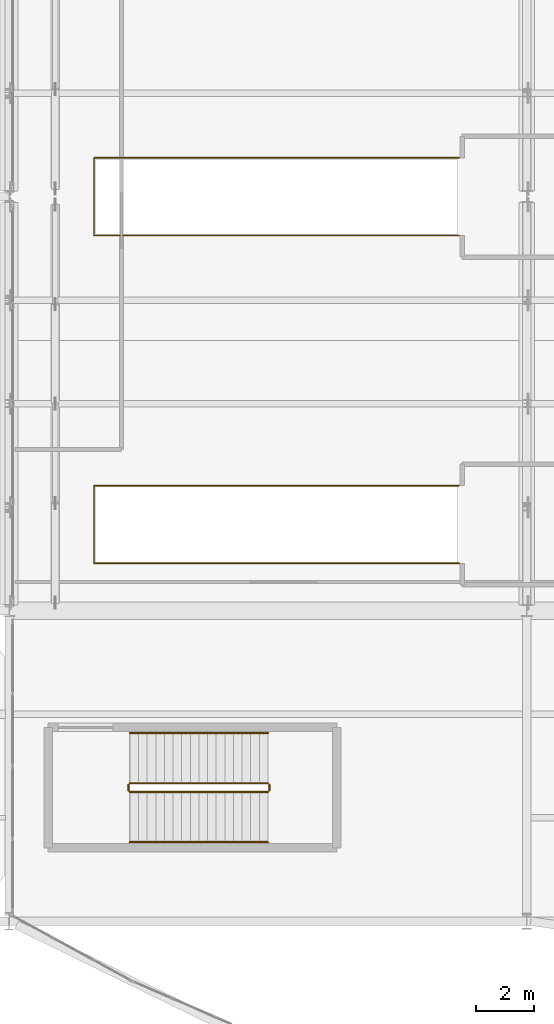
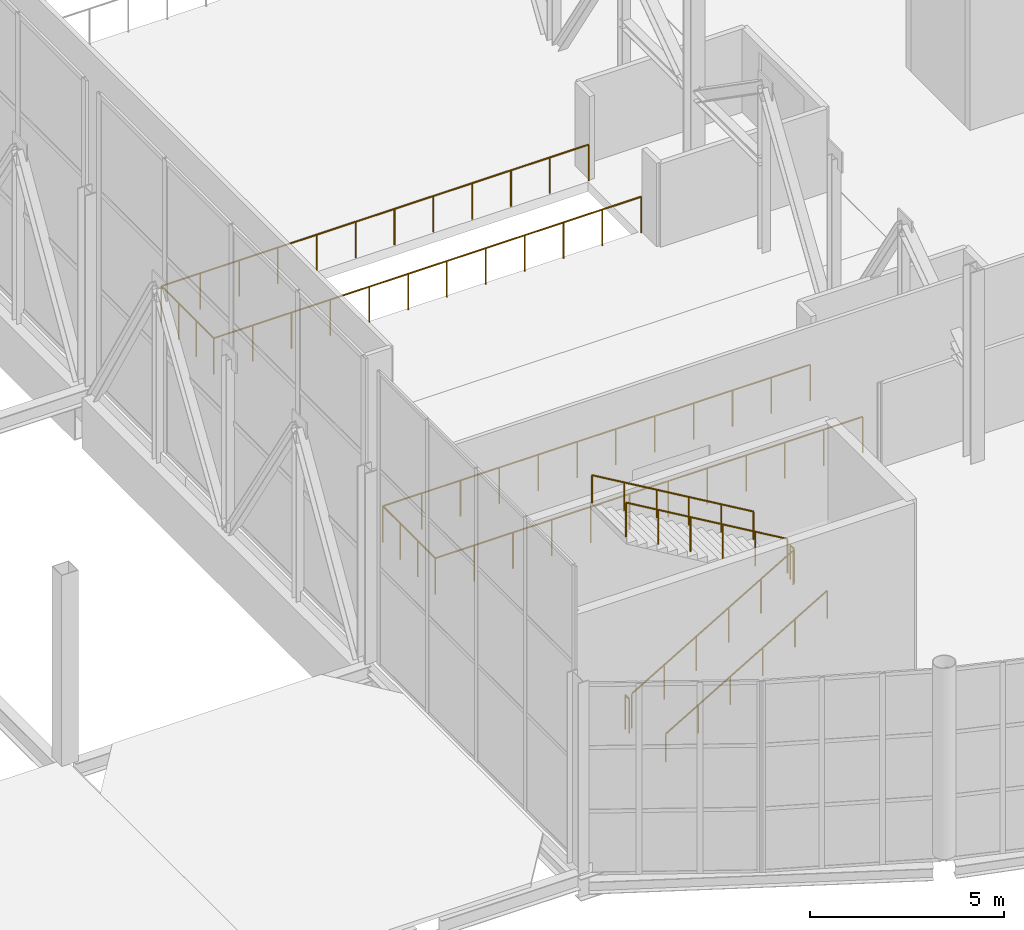
# One storey, part 177 of 191: 8 railings.
"""IFC4 building model written with IfcOpenShell, lengths in metres."""

from ifc_helpers import new_model, si_unit, direction, frame, origin, origin_2d, place, context, subcontext, project, spatial, circle, extrude, material, type_object, element, save


model = new_model("IFC4")

# Units and contexts
model_context = context("Model", 3, precision=1e-05, world=origin(), true_north=direction((0.0, 1.0)))
body_context = subcontext(model_context, "Body", "Model", "MODEL_VIEW")
ifc_project = project(units=[si_unit("LENGTHUNIT", "METRE"), si_unit("AREAUNIT", "SQUARE_METRE"), si_unit("VOLUMEUNIT", "CUBIC_METRE"), si_unit("PLANEANGLEUNIT", "RADIAN"), si_unit("MASSUNIT", "GRAM", prefix="KILO")], contexts=[model_context])

# Site, building, storey
site_placement = place(None, origin())
site = spatial("IfcSite", under=ifc_project, at=site_placement, CompositionType="ELEMENT")
building_placement = place(site_placement, origin())
building = spatial("IfcBuilding", under=site, at=building_placement, Name="Tamarisk Ironworks Central Station", CompositionType="ELEMENT")
storey_placement = place(building_placement, frame((0.0, 0.0, 6.60009765625)))
storey = spatial("IfcBuildingStorey", under=building, at=storey_placement, Name="L01", CompositionType="ELEMENT", Elevation=6.60009765625)

# Railings
ifc_material_1 = material(Name="Laminated solar-control low-E glass", Category="glass")
railing_type_1 = type_object("IfcRailingType", Name="RL-GUARD-GLASS", PredefinedType="BALUSTRADE", material=ifc_material_1)
railing_1_placement = place(storey_placement, frame((69.64990234375, 23.25, 0.0)))
element("IfcRailing", 1, at=railing_1_placement, inside=storey, type_object=railing_type_1, Name="L01 platform stair well guard ST-P1A", PredefinedType="BALUSTRADE", context=body_context, shape_type="SweptSolid", body=[
    extrude(circle(Radius=0.02392578125, at=origin_2d()), frame((0.0, 0.0, 1.1259765625), z_axis=(-1.0, 0.0, 0.0), x_axis=(0.0, -1.0, 0.0)), (0.0, 0.0, 1.0), 12.699951171875),
    extrude(circle(Radius=0.02392578125, at=origin_2d()), frame((-12.699951171875, 0.0, 1.1259765625), z_axis=(0.0, 1.0, 0.0), x_axis=(-1.0, 0.0, 0.0)), (0.0, 0.0, 1.0), 2.699951171875),
    extrude(circle(Radius=0.02392578125, at=origin_2d()), frame((-12.699951171875, 2.699951171875, 1.1259765625), z_axis=(1.0, 0.0, 0.0), x_axis=(0.0, 1.0, 0.0)), (0.0, 0.0, 1.0), 12.699951171875),
    extrude(circle(Radius=0.02099609375, at=origin_2d()), origin(), (0.0, 0.0, 1.0), 1.101806640625),
    extrude(circle(Radius=0.02099609375, at=origin_2d()), frame((-1.154541015625, 0.0, 0.0)), (0.0, 0.0, 1.0), 1.101806640625),
    extrude(circle(Radius=0.02099609375, at=origin_2d()), frame((-2.30908203125, 0.0, 0.0)), (0.0, 0.0, 1.0), 1.101806640625),
    extrude(circle(Radius=0.02099609375, at=origin_2d()), frame((-3.463623046875, 0.0, 0.0)), (0.0, 0.0, 1.0), 1.101806640625),
    extrude(circle(Radius=0.02099609375, at=origin_2d()), frame((-4.6181640625, 0.0, 0.0)), (0.0, 0.0, 1.0), 1.101806640625),
    extrude(circle(Radius=0.02099609375, at=origin_2d()), frame((-5.772705078125, 0.0, 0.0)), (0.0, 0.0, 1.0), 1.101806640625),
    extrude(circle(Radius=0.02099609375, at=origin_2d()), frame((-6.92724609375, 0.0, 0.0)), (0.0, 0.0, 1.0), 1.101806640625),
    extrude(circle(Radius=0.02099609375, at=origin_2d()), frame((-8.081787109375, 0.0, 0.0)), (0.0, 0.0, 1.0), 1.101806640625),
    extrude(circle(Radius=0.02099609375, at=origin_2d()), frame((-9.236328125, 0.0, 0.0)), (0.0, 0.0, 1.0), 1.101806640625),
    extrude(circle(Radius=0.02099609375, at=origin_2d()), frame((-10.390869140625, 0.0, 0.0)), (0.0, 0.0, 1.0), 1.101806640625),
    extrude(circle(Radius=0.02099609375, at=origin_2d()), frame((-11.54541015625, 0.0, 0.0)), (0.0, 0.0, 1.0), 1.101806640625),
    extrude(circle(Radius=0.02099609375, at=origin_2d()), frame((-12.699951171875, 0.0, 0.0)), (0.0, 0.0, 1.0), 1.101806640625),
    extrude(circle(Radius=0.02099609375, at=origin_2d()), frame((-12.699951171875, 0.89990234375, 0.0)), (0.0, 0.0, 1.0), 1.101806640625),
    extrude(circle(Radius=0.02099609375, at=origin_2d()), frame((-12.699951171875, 1.800048828125, 0.0)), (0.0, 0.0, 1.0), 1.101806640625),
    extrude(circle(Radius=0.02099609375, at=origin_2d()), frame((-12.699951171875, 2.699951171875, 0.0)), (0.0, 0.0, 1.0), 1.101806640625),
    extrude(circle(Radius=0.02099609375, at=origin_2d()), frame((-11.54541015625, 2.699951171875, 0.0)), (0.0, 0.0, 1.0), 1.101806640625),
    extrude(circle(Radius=0.02099609375, at=origin_2d()), frame((-10.390869140625, 2.699951171875, 0.0)), (0.0, 0.0, 1.0), 1.101806640625),
    extrude(circle(Radius=0.02099609375, at=origin_2d()), frame((-9.236328125, 2.699951171875, 0.0)), (0.0, 0.0, 1.0), 1.101806640625),
    extrude(circle(Radius=0.02099609375, at=origin_2d()), frame((-8.081787109375, 2.699951171875, 0.0)), (0.0, 0.0, 1.0), 1.101806640625),
    extrude(circle(Radius=0.02099609375, at=origin_2d()), frame((-6.92724609375, 2.699951171875, 0.0)), (0.0, 0.0, 1.0), 1.101806640625),
    extrude(circle(Radius=0.02099609375, at=origin_2d()), frame((-5.772705078125, 2.699951171875, 0.0)), (0.0, 0.0, 1.0), 1.101806640625),
    extrude(circle(Radius=0.02099609375, at=origin_2d()), frame((-4.6181640625, 2.699951171875, 0.0)), (0.0, 0.0, 1.0), 1.101806640625),
    extrude(circle(Radius=0.02099609375, at=origin_2d()), frame((-3.463623046875, 2.699951171875, 0.0)), (0.0, 0.0, 1.0), 1.101806640625),
    extrude(circle(Radius=0.02099609375, at=origin_2d()), frame((-2.30908203125, 2.699951171875, 0.0)), (0.0, 0.0, 1.0), 1.101806640625),
    extrude(circle(Radius=0.02099609375, at=origin_2d()), frame((-1.154541015625, 2.699951171875, 0.0)), (0.0, 0.0, 1.0), 1.101806640625),
    extrude(circle(Radius=0.02099609375, at=origin_2d()), frame((0.0, 2.699951171875, 0.0)), (0.0, 0.0, 1.0), 1.101806640625),
])
railing_2_placement = place(storey_placement, frame((69.64990234375, 34.64990234375, 0.0)))
element("IfcRailing", 2, at=railing_2_placement, inside=storey, type_object=railing_type_1, Name="L01 platform stair well guard ST-P2A", PredefinedType="BALUSTRADE", context=body_context, shape_type="SweptSolid", body=[
    extrude(circle(Radius=0.02392578125, at=origin_2d()), frame((0.0, 0.0, 1.1259765625), z_axis=(-1.0, 0.0, 0.0), x_axis=(0.0, -1.0, 0.0)), (0.0, 0.0, 1.0), 12.699951171875),
    extrude(circle(Radius=0.02392578125, at=origin_2d()), frame((-12.699951171875, 0.0, 1.1259765625), z_axis=(0.0, 1.0, 0.0), x_axis=(-1.0, 0.0, 0.0)), (0.0, 0.0, 1.0), 2.7001953125),
    extrude(circle(Radius=0.02392578125, at=origin_2d()), frame((-12.699951171875, 2.7001953125, 1.1259765625), z_axis=(1.0, 0.0, 0.0), x_axis=(0.0, 1.0, 0.0)), (0.0, 0.0, 1.0), 12.699951171875),
    extrude(circle(Radius=0.02099609375, at=origin_2d()), origin(), (0.0, 0.0, 1.0), 1.101806640625),
    extrude(circle(Radius=0.02099609375, at=origin_2d()), frame((-1.154541015625, 0.0, 0.0)), (0.0, 0.0, 1.0), 1.101806640625),
    extrude(circle(Radius=0.02099609375, at=origin_2d()), frame((-2.30908203125, 0.0, 0.0)), (0.0, 0.0, 1.0), 1.101806640625),
    extrude(circle(Radius=0.02099609375, at=origin_2d()), frame((-3.463623046875, 0.0, 0.0)), (0.0, 0.0, 1.0), 1.101806640625),
    extrude(circle(Radius=0.02099609375, at=origin_2d()), frame((-4.6181640625, 0.0, 0.0)), (0.0, 0.0, 1.0), 1.101806640625),
    extrude(circle(Radius=0.02099609375, at=origin_2d()), frame((-5.772705078125, 0.0, 0.0)), (0.0, 0.0, 1.0), 1.101806640625),
    extrude(circle(Radius=0.02099609375, at=origin_2d()), frame((-6.92724609375, 0.0, 0.0)), (0.0, 0.0, 1.0), 1.101806640625),
    extrude(circle(Radius=0.02099609375, at=origin_2d()), frame((-8.081787109375, 0.0, 0.0)), (0.0, 0.0, 1.0), 1.101806640625),
    extrude(circle(Radius=0.02099609375, at=origin_2d()), frame((-9.236328125, 0.0, 0.0)), (0.0, 0.0, 1.0), 1.101806640625),
    extrude(circle(Radius=0.02099609375, at=origin_2d()), frame((-10.390869140625, 0.0, 0.0)), (0.0, 0.0, 1.0), 1.101806640625),
    extrude(circle(Radius=0.02099609375, at=origin_2d()), frame((-11.54541015625, 0.0, 0.0)), (0.0, 0.0, 1.0), 1.101806640625),
    extrude(circle(Radius=0.02099609375, at=origin_2d()), frame((-12.699951171875, 0.0, 0.0)), (0.0, 0.0, 1.0), 1.101806640625),
    extrude(circle(Radius=0.02099609375, at=origin_2d()), frame((-12.699951171875, 0.900146484375, 0.0)), (0.0, 0.0, 1.0), 1.101806640625),
    extrude(circle(Radius=0.02099609375, at=origin_2d()), frame((-12.699951171875, 1.800048828125, 0.0)), (0.0, 0.0, 1.0), 1.101806640625),
    extrude(circle(Radius=0.02099609375, at=origin_2d()), frame((-12.699951171875, 2.7001953125, 0.0)), (0.0, 0.0, 1.0), 1.101806640625),
    extrude(circle(Radius=0.02099609375, at=origin_2d()), frame((-11.54541015625, 2.7001953125, 0.0)), (0.0, 0.0, 1.0), 1.101806640625),
    extrude(circle(Radius=0.02099609375, at=origin_2d()), frame((-10.390869140625, 2.7001953125, 0.0)), (0.0, 0.0, 1.0), 1.101806640625),
    extrude(circle(Radius=0.02099609375, at=origin_2d()), frame((-9.236328125, 2.7001953125, 0.0)), (0.0, 0.0, 1.0), 1.101806640625),
    extrude(circle(Radius=0.02099609375, at=origin_2d()), frame((-8.081787109375, 2.7001953125, 0.0)), (0.0, 0.0, 1.0), 1.101806640625),
    extrude(circle(Radius=0.02099609375, at=origin_2d()), frame((-6.92724609375, 2.7001953125, 0.0)), (0.0, 0.0, 1.0), 1.101806640625),
    extrude(circle(Radius=0.02099609375, at=origin_2d()), frame((-5.772705078125, 2.7001953125, 0.0)), (0.0, 0.0, 1.0), 1.101806640625),
    extrude(circle(Radius=0.02099609375, at=origin_2d()), frame((-4.6181640625, 2.7001953125, 0.0)), (0.0, 0.0, 1.0), 1.101806640625),
    extrude(circle(Radius=0.02099609375, at=origin_2d()), frame((-3.463623046875, 2.7001953125, 0.0)), (0.0, 0.0, 1.0), 1.101806640625),
    extrude(circle(Radius=0.02099609375, at=origin_2d()), frame((-2.30908203125, 2.7001953125, 0.0)), (0.0, 0.0, 1.0), 1.101806640625),
    extrude(circle(Radius=0.02099609375, at=origin_2d()), frame((-1.154541015625, 2.7001953125, 0.0)), (0.0, 0.0, 1.0), 1.101806640625),
    extrude(circle(Radius=0.02099609375, at=origin_2d()), frame((0.0, 2.7001953125, 0.0)), (0.0, 0.0, 1.0), 1.101806640625),
])
ifc_material_2 = material(Name="Brushed stainless steel AISI 316", Category="steel")
railing_type_2 = type_object("IfcRailingType", Name="RL-GUARD-INT", PredefinedType="BALUSTRADE", material=ifc_material_2)
railing_3_placement = place(storey_placement, frame((58.199951171875, 15.300048828125, 0.17626953125)))
element("IfcRailing", 3, at=railing_3_placement, inside=storey, type_object=railing_type_2, Name="L01 ST-C8 stair guard 1", PredefinedType="BALUSTRADE", context=body_context, shape_type="SweptSolid", body=[
    extrude(circle(Radius=0.02392578125, at=origin_2d()), frame((0.0, 0.0, 1.076171875), z_axis=(0.861920691219, 0.0, 0.507043116558), x_axis=(0.0, 1.0, 0.0)), (0.0, 0.0, 1.0), 5.569091796875),
    extrude(circle(Radius=0.02099609375, at=origin_2d()), origin(), (0.0, 0.0, 1.0), 1.052001953125),
    extrude(circle(Radius=0.02099609375, at=origin_2d()), frame((0.9599609375, 0.0, 0.564697265625)), (0.0, 0.0, 1.0), 1.052001953125),
    extrude(circle(Radius=0.02099609375, at=origin_2d()), frame((1.919921875, 0.0, 1.12939453125)), (0.0, 0.0, 1.0), 1.052001953125),
    extrude(circle(Radius=0.02099609375, at=origin_2d()), frame((2.880126953125, 0.0, 1.6943359375)), (0.0, 0.0, 1.0), 1.052001953125),
    extrude(circle(Radius=0.02099609375, at=origin_2d()), frame((3.840087890625, 0.0, 2.259033203125)), (0.0, 0.0, 1.0), 1.052001953125),
    extrude(circle(Radius=0.02099609375, at=origin_2d()), frame((4.800048828125, 0.0, 2.82373046875)), (0.0, 0.0, 1.0), 1.052001953125),
])
railing_4_placement = place(storey_placement, frame((63.050048828125, 15.35009765625, 3.0)))
element("IfcRailing", 4, at=railing_4_placement, inside=storey, type_object=railing_type_2, Name="L01 ST-C8 stair guard 2", PredefinedType="BALUSTRADE", context=body_context, shape_type="SweptSolid", body=[
    extrude(circle(Radius=0.02392578125, at=origin_2d()), frame((0.0, 0.0, 1.076171875), z_axis=(0.0, 1.0, 0.0), x_axis=(-1.0, 0.0, 0.0)), (0.0, 0.0, 1.0), 0.199951171875),
    extrude(circle(Radius=0.02099609375, at=origin_2d()), origin(), (0.0, 0.0, 1.0), 1.052001953125),
    extrude(circle(Radius=0.02099609375, at=origin_2d()), frame((0.0, 0.199951171875, 0.0)), (0.0, 0.0, 1.0), 1.052001953125),
])
railing_5_placement = place(storey_placement, frame((63.0, 15.60009765625, 3.17626953125)))
element("IfcRailing", 5, at=railing_5_placement, inside=storey, type_object=railing_type_2, Name="L01 ST-C8 stair guard 3", PredefinedType="BALUSTRADE", context=body_context, shape_type="SweptSolid", body=[
    extrude(circle(Radius=0.02392578125, at=origin_2d()), frame((0.0, 0.0, 1.076171875), z_axis=(-0.861920691219, 0.0, 0.507043116558), x_axis=(0.0, -1.0, 0.0)), (0.0, 0.0, 1.0), 5.569091796875),
    extrude(circle(Radius=0.02099609375, at=origin_2d()), origin(), (0.0, 0.0, 1.0), 1.052001953125),
    extrude(circle(Radius=0.02099609375, at=origin_2d()), frame((-0.9599609375, 0.0, 0.564697265625)), (0.0, 0.0, 1.0), 1.052001953125),
    extrude(circle(Radius=0.02099609375, at=origin_2d()), frame((-1.919921875, 0.0, 1.12939453125)), (0.0, 0.0, 1.0), 1.052001953125),
    extrude(circle(Radius=0.02099609375, at=origin_2d()), frame((-2.880126953125, 0.0, 1.6943359375)), (0.0, 0.0, 1.0), 1.052001953125),
    extrude(circle(Radius=0.02099609375, at=origin_2d()), frame((-3.840087890625, 0.0, 2.259033203125)), (0.0, 0.0, 1.0), 1.052001953125),
    extrude(circle(Radius=0.02099609375, at=origin_2d()), frame((-4.800048828125, 0.0, 2.82373046875)), (0.0, 0.0, 1.0), 1.052001953125),
])
railing_6_placement = place(storey_placement, frame((58.14990234375, 15.35009765625, 0.0)))
element("IfcRailing", 6, at=railing_6_placement, inside=storey, type_object=railing_type_2, Name="L01 ST-C8 stair guard 4", PredefinedType="BALUSTRADE", context=body_context, shape_type="SweptSolid", body=[
    extrude(circle(Radius=0.02392578125, at=origin_2d()), frame((0.0, 0.0, 1.076171875), z_axis=(0.0, 1.0, 0.0), x_axis=(-1.0, 0.0, 0.0)), (0.0, 0.0, 1.0), 0.199951171875),
    extrude(circle(Radius=0.02099609375, at=origin_2d()), origin(), (0.0, 0.0, 1.0), 1.052001953125),
    extrude(circle(Radius=0.02099609375, at=origin_2d()), frame((0.0, 0.199951171875, 0.0)), (0.0, 0.0, 1.0), 1.052001953125),
])
railing_type_3 = type_object("IfcRailingType", Name="RL-HAND", PredefinedType="HANDRAIL", material=ifc_material_2)
railing_7_placement = place(storey_placement, frame((58.199951171875, 13.550048828125, 0.17626953125)))
element("IfcRailing", 7, at=railing_7_placement, inside=storey, type_object=railing_type_3, Name="L01 ST-C8 stair handrail 1", PredefinedType="HANDRAIL", context=body_context, shape_type="SweptSolid", body=[
    extrude(circle(Radius=0.02392578125, at=origin_2d()), frame((0.0, 0.0, 0.8759765625), z_axis=(0.861920691219, 0.0, 0.507043116558), x_axis=(0.0, 1.0, 0.0)), (0.0, 0.0, 1.0), 5.569091796875),
    extrude(circle(Radius=0.02099609375, at=origin_2d()), origin(), (0.0, 0.0, 1.0), 0.851806640625),
    extrude(circle(Radius=0.02099609375, at=origin_2d()), frame((0.9599609375, 0.0, 0.564697265625)), (0.0, 0.0, 1.0), 0.851806640625),
    extrude(circle(Radius=0.02099609375, at=origin_2d()), frame((1.919921875, 0.0, 1.12939453125)), (0.0, 0.0, 1.0), 0.851806640625),
    extrude(circle(Radius=0.02099609375, at=origin_2d()), frame((2.880126953125, 0.0, 1.6943359375)), (0.0, 0.0, 1.0), 0.851806640625),
    extrude(circle(Radius=0.02099609375, at=origin_2d()), frame((3.840087890625, 0.0, 2.259033203125)), (0.0, 0.0, 1.0), 0.851806640625),
    extrude(circle(Radius=0.02099609375, at=origin_2d()), frame((4.800048828125, 0.0, 2.82373046875)), (0.0, 0.0, 1.0), 0.851806640625),
])
railing_8_placement = place(storey_placement, frame((63.0, 17.35009765625, 3.17626953125)))
element("IfcRailing", 8, at=railing_8_placement, inside=storey, type_object=railing_type_3, Name="L01 ST-C8 stair handrail 2", PredefinedType="HANDRAIL", context=body_context, shape_type="SweptSolid", body=[
    extrude(circle(Radius=0.02392578125, at=origin_2d()), frame((0.0, 0.0, 0.8759765625), z_axis=(-0.861920691219, 0.0, 0.507043116558), x_axis=(0.0, -1.0, 0.0)), (0.0, 0.0, 1.0), 5.569091796875),
    extrude(circle(Radius=0.02099609375, at=origin_2d()), origin(), (0.0, 0.0, 1.0), 0.851806640625),
    extrude(circle(Radius=0.02099609375, at=origin_2d()), frame((-0.9599609375, 0.0, 0.564697265625)), (0.0, 0.0, 1.0), 0.851806640625),
    extrude(circle(Radius=0.02099609375, at=origin_2d()), frame((-1.919921875, 0.0, 1.12939453125)), (0.0, 0.0, 1.0), 0.851806640625),
    extrude(circle(Radius=0.02099609375, at=origin_2d()), frame((-2.880126953125, 0.0, 1.6943359375)), (0.0, 0.0, 1.0), 0.851806640625),
    extrude(circle(Radius=0.02099609375, at=origin_2d()), frame((-3.840087890625, 0.0, 2.259033203125)), (0.0, 0.0, 1.0), 0.851806640625),
    extrude(circle(Radius=0.02099609375, at=origin_2d()), frame((-4.800048828125, 0.0, 2.82373046875)), (0.0, 0.0, 1.0), 0.851806640625),
])

save(model, "model.ifc")
